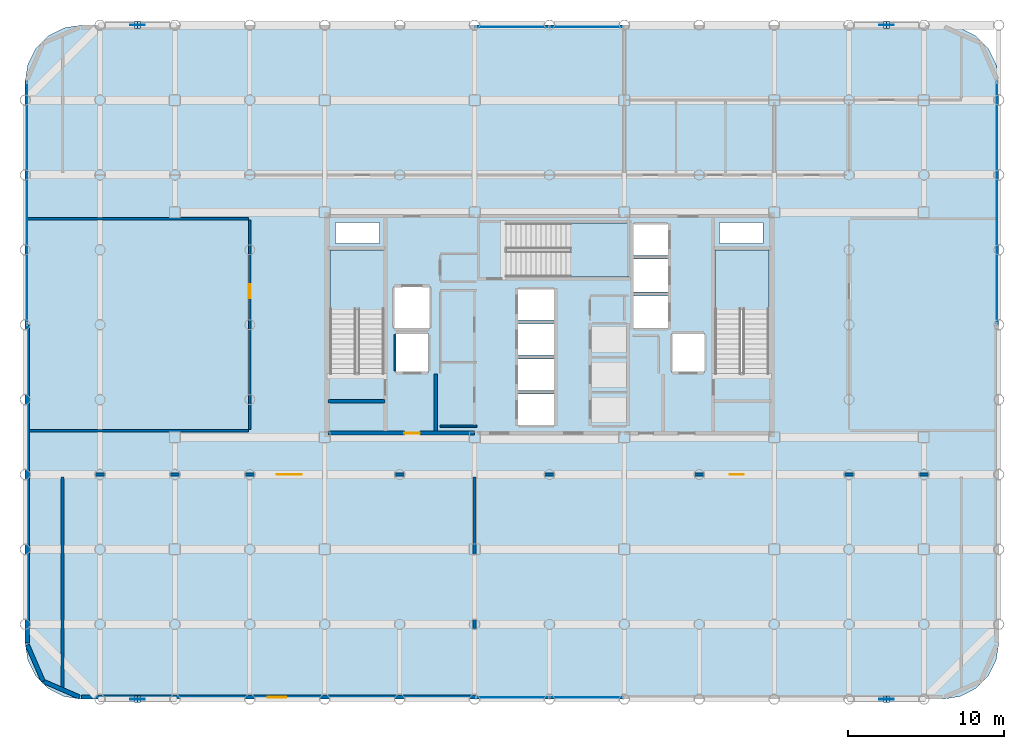
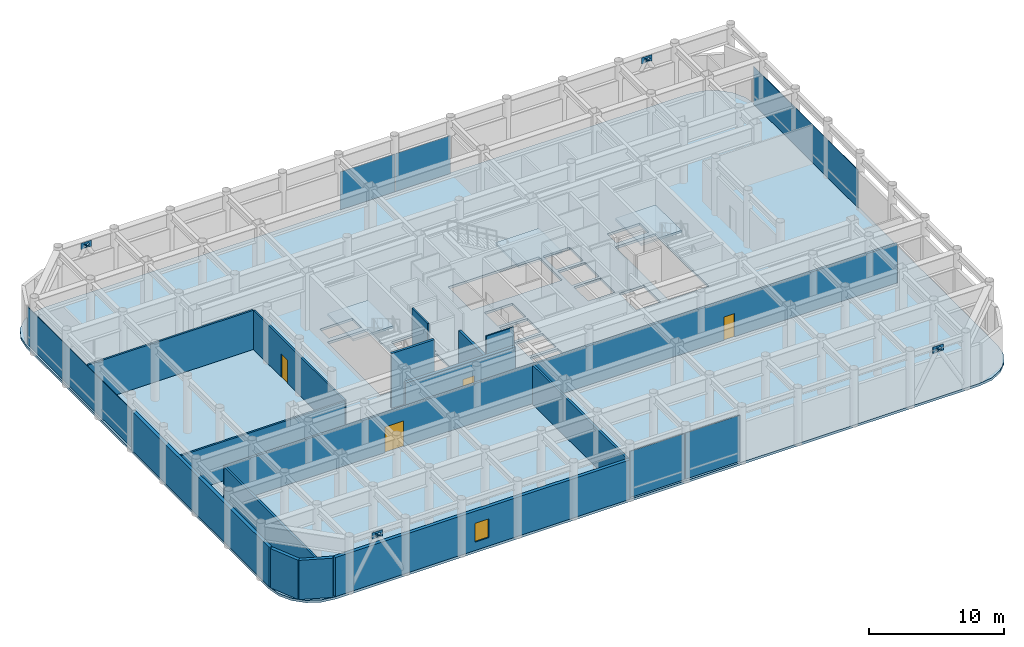
# One storey, part 15 of 20: 18 plates, 15 walls, 4 doors, 4 slabs, 1 window, 5 openings, 7 elements without a shape of their own.
"""IFC4 building model written with IfcOpenShell, lengths in metres."""

from ifc_helpers import new_model, si_unit, direction, frame, frame_2d, origin, origin_2d, place, context, subcontext, project, spatial, polyline, rectangle, outline, extrude, material, layer, layer_set, type_object, element, fill, aggregate, save


model = new_model("IFC4")

# Units and contexts
model_context = context("Model", 3, precision=1e-05, world=origin(), true_north=direction((0.0, 1.0)))
body_context = subcontext(model_context, "Body", "Model", "MODEL_VIEW")
ifc_project = project(units=[si_unit("LENGTHUNIT", "METRE"), si_unit("AREAUNIT", "SQUARE_METRE"), si_unit("VOLUMEUNIT", "CUBIC_METRE"), si_unit("PLANEANGLEUNIT", "RADIAN"), si_unit("MASSUNIT", "GRAM", prefix="KILO")], contexts=[model_context])

# Site, building, storey
site_placement = place(None, origin())
site = spatial("IfcSite", under=ifc_project, at=site_placement, CompositionType="ELEMENT")
building_placement = place(site_placement, origin())
building = spatial("IfcBuilding", under=site, at=building_placement, Name="Kallvorn Hotel Tower", CompositionType="ELEMENT")
storey_placement = place(building_placement, frame((0.0, 0.0, 180.300048828125)))
storey = spatial("IfcBuildingStorey", under=building, at=storey_placement, Name="L45", CompositionType="ELEMENT", Elevation=180.300048828125)

# Curtain wall, plates
ifc_material_1 = material(Name="Thermally broken black-anodised aluminium AA 6063-T6", Category="aluminium")
ifc_layer_1 = layer(ifc_material_1, 0.22998046875)
ifc_layer_set_1 = layer_set([ifc_layer_1], Name="CW_SYS_5_HOTEL_HIGH")
curtain_wall_type = type_object("IfcCurtainWallType", Name="CW_SYS_5_HOTEL_HIGH", PredefinedType="USERDEFINED", material=ifc_layer_set_1)
curtain_wall_1_placement = place(storey_placement, origin())
curtain_wall_1 = element("IfcCurtainWall", 1, at=curtain_wall_1_placement, inside=storey, type_object=curtain_wall_type, Name="L45 Dark-Glass Curtain Wall CW-L45-SC", ObjectType="UNITISED CURTAIN WALL", PredefinedType="USERDEFINED")
ifc_material_2 = material(Name="Triple-glazed low-e acoustic solar-control dark glass", Category="glass")
ifc_layer_2 = layer(ifc_material_2, 0.04150390625)
ifc_layer_set_2 = layer_set([ifc_layer_2], Name="CW_SYS_5_HOTEL_HIGH_PANEL")
plate_type_1 = type_object("IfcPlateType", Name="CW_SYS_5_HOTEL_HIGH_PANEL", PredefinedType="CURTAIN_PANEL", material=ifc_layer_set_2)
plate_1_placement = place(storey_placement, frame((-2.375, -23.8798828125, 0.06005859375), z_axis=(0.0, 0.0, 1.0), x_axis=(1.0, 0.0, 0.0)))
plate_1 = element("IfcPlate", 2, at=plate_1_placement, type_object=plate_type_1, Name="CW-L45-SC Vision Glass Panel 00", PredefinedType="CURTAIN_PANEL", context=body_context, shape_type="SweptSolid", body=[
    extrude(rectangle(XDim=4.68994140625, YDim=0.04150390625, at=origin_2d()), origin(), (0.0, 0.0, 1.0), 4.179931640625),
])
plate_2_placement = place(storey_placement, frame((2.375, -23.8798828125, 0.06005859375), z_axis=(0.0, 0.0, 1.0), x_axis=(1.0, 0.0, 0.0)))
plate_2 = element("IfcPlate", 3, at=plate_2_placement, type_object=plate_type_1, Name="CW-L45-SC Vision Glass Panel 01", PredefinedType="CURTAIN_PANEL", context=body_context, shape_type="SweptSolid", body=[
    extrude(rectangle(XDim=4.68994140625, YDim=0.04150390625, at=origin_2d()), origin(), (0.0, 0.0, 1.0), 4.179931640625),
])
aggregate(curtain_wall_1, [plate_1, plate_2])

curtain_wall_2_placement = place(storey_placement, origin())
curtain_wall_2 = element("IfcCurtainWall", 4, at=curtain_wall_2_placement, inside=storey, type_object=curtain_wall_type, Name="L45 Dark-Glass Curtain Wall CW-L45-NC", ObjectType="UNITISED CURTAIN WALL", PredefinedType="USERDEFINED")
plate_3_placement = place(storey_placement, frame((-2.375, 19.080078125, 0.06005859375), z_axis=(0.0, 0.0, 1.0), x_axis=(1.0, 0.0, 0.0)))
plate_3 = element("IfcPlate", 5, at=plate_3_placement, type_object=plate_type_1, Name="CW-L45-NC Vision Glass Panel 00", PredefinedType="CURTAIN_PANEL", context=body_context, shape_type="SweptSolid", body=[
    extrude(rectangle(XDim=4.68994140625, YDim=0.04150390625, at=origin_2d()), origin(), (0.0, 0.0, 1.0), 3.429931640625),
])
plate_4_placement = place(storey_placement, frame((2.375, 19.080078125, 0.06005859375), z_axis=(0.0, 0.0, 1.0), x_axis=(1.0, 0.0, 0.0)))
plate_4 = element("IfcPlate", 6, at=plate_4_placement, type_object=plate_type_1, Name="CW-L45-NC Vision Glass Panel 01", PredefinedType="CURTAIN_PANEL", context=body_context, shape_type="SweptSolid", body=[
    extrude(rectangle(XDim=4.68994140625, YDim=0.04150390625, at=origin_2d()), origin(), (0.0, 0.0, 1.0), 3.429931640625),
])
aggregate(curtain_wall_2, [plate_3, plate_4])

# Curtain wall, plate
curtain_wall_3_placement = place(storey_placement, origin())
curtain_wall_3 = element("IfcCurtainWall", 7, at=curtain_wall_3_placement, inside=storey, type_object=curtain_wall_type, Name="L45 Dark-Glass Curtain Wall CW-L45-WN", ObjectType="UNITISED CURTAIN WALL", PredefinedType="USERDEFINED")
plate_5_placement = place(storey_placement, frame((-33.47998046875, 7.81005859375, 0.06005859375), z_axis=(0.0, 0.0, 1.0), x_axis=(0.0, 1.0, 0.0)))
plate_5 = element("IfcPlate", 8, at=plate_5_placement, type_object=plate_type_1, Name="CW-L45-WN Vision Glass Panel 00", PredefinedType="CURTAIN_PANEL", context=body_context, shape_type="SweptSolid", body=[
    extrude(rectangle(XDim=15.52001953125, YDim=0.04150390625, at=origin_2d()), origin(), (0.0, 0.0, 1.0), 3.429931640625),
])
aggregate(curtain_wall_3, [plate_5])

curtain_wall_4_placement = place(storey_placement, origin())
curtain_wall_4 = element("IfcCurtainWall", 9, at=curtain_wall_4_placement, inside=storey, type_object=curtain_wall_type, Name="L45 Dark-Glass Curtain Wall CW-L45-EN", ObjectType="UNITISED CURTAIN WALL", PredefinedType="USERDEFINED")
plate_6_placement = place(storey_placement, frame((28.679931640625, 7.81005859375, 0.06005859375), z_axis=(0.0, 0.0, 1.0), x_axis=(0.0, 1.0, 0.0)))
plate_6 = element("IfcPlate", 10, at=plate_6_placement, type_object=plate_type_1, Name="CW-L45-EN Vision Glass Panel 00", PredefinedType="CURTAIN_PANEL", context=body_context, shape_type="SweptSolid", body=[
    extrude(rectangle(XDim=15.52001953125, YDim=0.04150390625, at=origin_2d()), origin(), (0.0, 0.0, 1.0), 3.429931640625),
])
aggregate(curtain_wall_4, [plate_6])

# Plates
ifc_material_3 = material(Name="Structural steel S355JR", Category="steel")
ifc_layer_3 = layer(ifc_material_3, 0.030029296875)
ifc_layer_set_3 = layer_set([ifc_layer_3], Name="PLT_CAP_30")
plate_type_2 = type_object("IfcPlateType", Name="PLT_CAP_30", PredefinedType="SHEET", material=ifc_layer_set_3)
plate_7_placement = place(storey_placement, frame((-26.205322265625, -24.2177734375, 4.341796875), z_axis=(0.491059472145, 0.0, 0.871126049901), x_axis=(0.0, 1.0, 0.0)))
element("IfcPlate", 11, at=plate_7_placement, inside=storey, type_object=plate_type_2, Name="EXO-L45-S1A End Cap Plate B", PredefinedType="SHEET", context=body_context, shape_type="SweptSolid", body=[
    extrude(outline(polyline([(0.0, 0.0), (0.435546875, 0.0), (0.435546875, 0.4355219675648605), (0.0, 0.4355219675648605), (0.0, 0.0)])), origin(), (0.0, 0.0, -1.0), 0.030029296875),
])
plate_8_placement = place(storey_placement, frame((-26.5947265625, -23.7822265625, 4.341796875), z_axis=(-0.490819772873, 0.0, 0.871261126504), x_axis=(0.0, -1.0, 0.0)))
element("IfcPlate", 12, at=plate_8_placement, inside=storey, type_object=plate_type_2, Name="EXO-L45-S1B End Cap Plate B", PredefinedType="SHEET", context=body_context, shape_type="SweptSolid", body=[
    extrude(outline(polyline([(0.0, 0.0), (0.435546875, 0.0), (0.435546875, 0.4357346613160056), (0.0, 0.4357346613160056), (0.0, 0.0)])), origin(), (0.0, 0.0, -1.0), 0.030029296875),
])
plate_9_placement = place(storey_placement, frame((21.794677734375, -24.2177734375, 4.341796875), z_axis=(0.491059472145, 0.0, 0.871126049901), x_axis=(0.0, 1.0, 0.0)))
element("IfcPlate", 13, at=plate_9_placement, inside=storey, type_object=plate_type_2, Name="EXO-L45-S2A End Cap Plate B", PredefinedType="SHEET", context=body_context, shape_type="SweptSolid", body=[
    extrude(outline(polyline([(0.0, 0.0), (0.435546875, 0.0), (0.435546875, 0.4355219675648605), (0.0, 0.4355219675648605), (0.0, 0.0)])), origin(), (0.0, 0.0, -1.0), 0.030029296875),
])
plate_10_placement = place(storey_placement, frame((21.4052734375, -23.7822265625, 4.341796875), z_axis=(-0.490819772873, 0.0, 0.871261126504), x_axis=(0.0, -1.0, 0.0)))
element("IfcPlate", 14, at=plate_10_placement, inside=storey, type_object=plate_type_2, Name="EXO-L45-S2B End Cap Plate B", PredefinedType="SHEET", context=body_context, shape_type="SweptSolid", body=[
    extrude(outline(polyline([(0.0, 0.0), (0.435546875, 0.0), (0.435546875, 0.4357346613160056), (0.0, 0.4357346613160056), (0.0, 0.0)])), origin(), (0.0, 0.0, -1.0), 0.030029296875),
])
plate_11_placement = place(storey_placement, frame((-26.205322265625, 18.982177734375, 4.341796875), z_axis=(0.491059472145, 0.0, 0.871126049901), x_axis=(0.0, 1.0, 0.0)))
element("IfcPlate", 15, at=plate_11_placement, inside=storey, type_object=plate_type_2, Name="EXO-L45-N1A End Cap Plate B", PredefinedType="SHEET", context=body_context, shape_type="SweptSolid", body=[
    extrude(outline(polyline([(0.0, 0.0), (0.435546875, 0.0), (0.435546875, 0.4355219675648605), (0.0, 0.4355219675648605), (0.0, 0.0)])), origin(), (0.0, 0.0, -1.0), 0.030029296875),
])
plate_12_placement = place(storey_placement, frame((-26.5947265625, 19.417724609375, 4.341796875), z_axis=(-0.490819772873, 0.0, 0.871261126504), x_axis=(0.0, -1.0, 0.0)))
element("IfcPlate", 16, at=plate_12_placement, inside=storey, type_object=plate_type_2, Name="EXO-L45-N1B End Cap Plate B", PredefinedType="SHEET", context=body_context, shape_type="SweptSolid", body=[
    extrude(outline(polyline([(0.0, 0.0), (0.435546875, 0.0), (0.435546875, 0.4357346613160056), (0.0, 0.4357346613160056), (0.0, 0.0)])), origin(), (0.0, 0.0, -1.0), 0.030029296875),
])
plate_13_placement = place(storey_placement, frame((21.794677734375, 18.982177734375, 4.341796875), z_axis=(0.491059472145, 0.0, 0.871126049901), x_axis=(0.0, 1.0, 0.0)))
element("IfcPlate", 17, at=plate_13_placement, inside=storey, type_object=plate_type_2, Name="EXO-L45-N2A End Cap Plate B", PredefinedType="SHEET", context=body_context, shape_type="SweptSolid", body=[
    extrude(outline(polyline([(0.0, 0.0), (0.435546875, 0.0), (0.435546875, 0.4355219675648605), (0.0, 0.4355219675648605), (0.0, 0.0)])), origin(), (0.0, 0.0, -1.0), 0.030029296875),
])
plate_14_placement = place(storey_placement, frame((21.4052734375, 19.417724609375, 4.341796875), z_axis=(-0.490819772873, 0.0, 0.871261126504), x_axis=(0.0, -1.0, 0.0)))
element("IfcPlate", 18, at=plate_14_placement, inside=storey, type_object=plate_type_2, Name="EXO-L45-N2B End Cap Plate B", PredefinedType="SHEET", context=body_context, shape_type="SweptSolid", body=[
    extrude(outline(polyline([(0.0, 0.0), (0.435546875, 0.0), (0.435546875, 0.4357346613160056), (0.0, 0.4357346613160056), (0.0, 0.0)])), origin(), (0.0, 0.0, -1.0), 0.030029296875),
])
ifc_material_4 = material(Name="Structural steel S355JR", Category="steel")
ifc_layer_4 = layer(ifc_material_4, 0.034912109375)
ifc_layer_set_4 = layer_set([ifc_layer_4], Name="PLT_GUSSET_35")
plate_type_3 = type_object("IfcPlateType", Name="PLT_GUSSET_35", PredefinedType="USERDEFINED", material=ifc_layer_set_4)
for number, where, z_axis, x_axis, name in (
    (19, (-26.39990234375, -24.0, 4.119873046875), (0.0, 0.0, 1.0), (1.0, 0.0, 0.0), "L45 Exoskeleton Node Gusset S1"),
    (20, (21.60009765625, -24.0, 4.119873046875), (0.0, 0.0, 1.0), (1.0, 0.0, 0.0), "L45 Exoskeleton Node Gusset S2"),
    (21, (-26.39990234375, 19.199951171875, 4.119873046875), (0.0, 0.0, 1.0), (1.0, 0.0, 0.0), "L45 Exoskeleton Node Gusset N1"),
    (22, (21.60009765625, 19.199951171875, 4.119873046875), (0.0, 0.0, 1.0), (1.0, 0.0, 0.0), "L45 Exoskeleton Node Gusset N2"),
):
    element("IfcPlate", number, at=place(storey_placement, frame(where, z_axis=z_axis, x_axis=x_axis)), inside=storey, type_object=plate_type_3, Name=name, ObjectType="GUSSET PLATE", PredefinedType="USERDEFINED", context=body_context, shape_type="SweptSolid", body=[
        extrude(rectangle(XDim=0.89990234375, YDim=0.034912109375, at=origin_2d()), origin(), (0.0, 0.0, 1.0), 0.56005859375),
    ])

# Slab
ifc_material_5 = material(Name="Concrete C40/50", Category="concrete")
ifc_layer_5 = layer(ifc_material_5, 0.219970703125)
ifc_layer_set_5 = layer_set([ifc_layer_5], Name="SLB_CASCADE_220")
slab_type_1 = type_object("IfcSlabType", Name="SLB_CASCADE_220", PredefinedType="FLOOR", material=ifc_layer_set_5)
slab_1_placement = place(storey_placement, frame((0.0, 0.0, -0.219970703125)))
element("IfcSlab", 23, at=slab_1_placement, inside=storey, type_object=slab_type_1, Name="L45 Structural Floor Slab", PredefinedType="FLOOR", context=body_context, shape_type="SweptSolid", body=[
    extrude(outline(polyline([(25.199951171875, -24.0), (26.3125, -23.82373046875), (27.31591796875, -23.3125), (28.112548828125, -22.51611328125), (28.623779296875, -21.512451171875), (28.800048828125, -20.39990234375), (28.800048828125, 15.60009765625), (28.623779296875, 16.71240234375), (28.112548828125, 17.716064453125), (27.31591796875, 18.512451171875), (26.3125, 19.023681640625), (25.199951171875, 19.199951171875), (-30.0, 19.199951171875), (-31.112548828125, 19.023681640625), (-32.115966796875, 18.512451171875), (-32.91259765625, 17.716064453125), (-33.423828125, 16.71240234375), (-33.60009765625, 15.60009765625), (-33.60009765625, -20.39990234375), (-33.423828125, -21.512451171875), (-32.91259765625, -22.51611328125), (-32.115966796875, -23.3125), (-31.112548828125, -23.82373046875), (-30.0, -24.0), (25.199951171875, -24.0)]), holes=[polyline([(-10.60009765625, -3.070068359375), (-10.60009765625, 4.800048828125), (-14.06005859375, 4.800048828125), (-14.06005859375, -3.070068359375), (-10.60009765625, -3.070068359375)]), polyline([(14.06005859375, -3.070068359375), (14.06005859375, 4.800048828125), (10.60009765625, 4.800048828125), (10.60009765625, -3.070068359375), (14.06005859375, -3.070068359375)]), polyline([(-2.719970703125, 3.050048828125), (5.050048828125, 3.050048828125), (5.050048828125, 6.510009765625), (-2.719970703125, 6.510009765625), (-2.719970703125, 3.050048828125)]), polyline([(-2.050048828125, -6.449951171875), (0.35009765625, -6.449951171875), (0.35009765625, -4.449951171875), (-2.050048828125, -4.449951171875), (-2.050048828125, -6.449951171875)]), polyline([(-2.050048828125, -4.199951171875), (0.35009765625, -4.199951171875), (0.35009765625, -2.199951171875), (-2.050048828125, -2.199951171875), (-2.050048828125, -4.199951171875)]), polyline([(-2.050048828125, -1.949951171875), (0.35009765625, -1.949951171875), (0.35009765625, 0.050048828125), (-2.050048828125, 0.050048828125), (-2.050048828125, -1.949951171875)]), polyline([(-2.050048828125, 0.300048828125), (0.35009765625, 0.300048828125), (0.35009765625, 2.300048828125), (-2.050048828125, 2.300048828125), (-2.050048828125, 0.300048828125)]), polyline([(5.35009765625, -0.25), (7.64990234375, -0.25), (7.64990234375, 1.85009765625), (5.35009765625, 1.85009765625), (5.35009765625, -0.25)]), polyline([(5.35009765625, 2.10009765625), (7.64990234375, 2.10009765625), (7.64990234375, 4.199951171875), (5.35009765625, 4.199951171875), (5.35009765625, 2.10009765625)]), polyline([(5.35009765625, 4.449951171875), (7.64990234375, 4.449951171875), (7.64990234375, 6.449951171875), (5.35009765625, 6.449951171875), (5.35009765625, 4.449951171875)]), polyline([(-9.85009765625, -3.050048828125), (-7.75, -3.050048828125), (-7.75, -0.550048828125), (-9.85009765625, -0.550048828125), (-9.85009765625, -3.050048828125)]), polyline([(7.85009765625, -3.050048828125), (9.949951171875, -3.050048828125), (9.949951171875, -0.550048828125), (7.85009765625, -0.550048828125), (7.85009765625, -3.050048828125)]), polyline([(-9.949951171875, -0.25), (-7.64990234375, -0.25), (-7.64990234375, 2.449951171875), (-9.949951171875, 2.449951171875), (-9.949951171875, -0.25)]), polyline([(-13.699951171875, 5.199951171875), (-10.89990234375, 5.199951171875), (-10.89990234375, 6.550048828125), (-13.699951171875, 6.550048828125), (-13.699951171875, 5.199951171875)]), polyline([(10.89990234375, 5.199951171875), (13.699951171875, 5.199951171875), (13.699951171875, 6.550048828125), (10.89990234375, 6.550048828125), (10.89990234375, 5.199951171875)])]), origin(), (0.0, 0.0, 1.0), 0.219970703125),
])

# Stair, slab
ifc_material_6 = material(Name="Precast concrete C40/50", Category="concrete")
stair_type = type_object("IfcStairType", Name="STR_CORE_DOGLEG", PredefinedType="HALF_TURN_STAIR", material=ifc_material_6)
stair_1_placement = place(storey_placement, origin())
stair_1 = element("IfcStair", 24, at=stair_1_placement, inside=storey, type_object=stair_type, Name="L45 Exit stair ST1", PredefinedType="HALF_TURN_STAIR")
ifc_material_7 = material(Name="Precast concrete C40/50", Category="concrete")
ifc_layer_6 = layer(ifc_material_7, 0.179931640625)
ifc_layer_set_6 = layer_set([ifc_layer_6], Name="SLB_LANDING_180")
slab_type_2 = type_object("IfcSlabType", Name="SLB_LANDING_180", PredefinedType="LANDING", material=ifc_layer_set_6)
slab_2_placement = place(storey_placement, frame((0.0, 0.0, 2.39990234375)))
slab_2 = element("IfcSlab", 25, at=slab_2_placement, type_object=slab_type_2, Name="ST1 landing 1", PredefinedType="LANDING", context=body_context, shape_type="SweptSolid", body=[
    extrude(outline(polyline([(-10.60009765625, 0.969970703125), (-10.60009765625, 4.800048828125), (-14.06005859375, 4.800048828125), (-14.06005859375, 0.969970703125), (-10.60009765625, 0.969970703125)])), origin(), (0.0, 0.0, 1.0), 0.199951171875),
])
aggregate(stair_1, [slab_2])

stair_2_placement = place(storey_placement, origin())
stair_2 = element("IfcStair", 26, at=stair_2_placement, inside=storey, type_object=stair_type, Name="L45 Exit stair ST2", PredefinedType="HALF_TURN_STAIR")
slab_3_placement = place(storey_placement, frame((0.0, 0.0, 2.39990234375)))
slab_3 = element("IfcSlab", 27, at=slab_3_placement, type_object=slab_type_2, Name="ST2 landing 1", PredefinedType="LANDING", context=body_context, shape_type="SweptSolid", body=[
    extrude(outline(polyline([(14.06005859375, 0.969970703125), (14.06005859375, 4.800048828125), (10.60009765625, 4.800048828125), (10.60009765625, 0.969970703125), (14.06005859375, 0.969970703125)])), origin(), (0.0, 0.0, 1.0), 0.199951171875),
])
aggregate(stair_2, [slab_3])

stair_3_placement = place(storey_placement, origin())
stair_3 = element("IfcStair", 28, at=stair_3_placement, inside=storey, type_object=stair_type, Name="L45 Exit stair ST3", PredefinedType="HALF_TURN_STAIR")
slab_4_placement = place(storey_placement, frame((0.0, 0.0, 2.39990234375)))
slab_4 = element("IfcSlab", 29, at=slab_4_placement, type_object=slab_type_2, Name="ST3 landing 1", PredefinedType="LANDING", context=body_context, shape_type="SweptSolid", body=[
    extrude(outline(polyline([(1.320068359375, 3.050048828125), (5.050048828125, 3.050048828125), (5.050048828125, 6.510009765625), (1.320068359375, 6.510009765625), (1.320068359375, 3.050048828125)])), origin(), (0.0, 0.0, 1.0), 0.199951171875),
])
aggregate(stair_3, [slab_4])

# Wall, openings, doors
ifc_material_8 = material(Name="Fire-rated double-layer acoustic gypsum drywall EI 60")
ifc_layer_7 = layer(ifc_material_8, 0.179931640625)
ifc_layer_set_7 = layer_set([ifc_layer_7], Name="WL_CORR_180")
wall_type_1 = type_object("IfcWallType", Name="WL_CORR_180", PredefinedType="PARTITIONING", material=ifc_layer_set_7)
wall_1_placement = place(storey_placement, frame((-31.199951171875, -9.60009765625, 0.0), z_axis=(0.0, 0.0, 1.0), x_axis=(1.0, 0.0, 0.0)))
wall_1 = element("IfcWall", 30, at=wall_1_placement, inside=storey, type_object=wall_type_1, Name="L45 Mid-Tower Sky Transfer Lobby and Concierge Partition", PredefinedType="PARTITIONING", context=body_context, shape_type="SweptSolid", body=[
    extrude(rectangle(XDim=57.599853515625, YDim=0.179931640625, at=frame_2d((28.7998046875, 0.0))), origin(), (0.0, 0.0, 1.0), 3.550048828125),
])
opening_1_placement = place(wall_1_placement, frame((13.719970703125, 0.0, 0.0)))
opening_1 = element("IfcOpeningElement", 31, at=opening_1_placement, cuts=wall_1, Name="Opening HD1", PredefinedType="OPENING", context=body_context, shape_type="SweptSolid", body=[
    extrude(rectangle(XDim=1.60009765625, YDim=2.300048828125, at=frame_2d((0.800048828125, 1.14990234375))), frame((0.0, 0.104736328125, 0.0), z_axis=(0.0, -1.0, 0.0), x_axis=(1.0, 0.0, 0.0)), (0.0, 0.0, 1.0), 0.2099609375),
])
opening_2_placement = place(wall_1_placement, frame((42.75, 0.0, 0.0)))
opening_2 = element("IfcOpeningElement", 32, at=opening_2_placement, cuts=wall_1, Name="Opening SVD1", PredefinedType="OPENING", context=body_context, shape_type="SweptSolid", body=[
    extrude(rectangle(XDim=0.89990234375, YDim=2.10009765625, at=frame_2d((0.449951171875, 1.050048828125))), frame((0.0, 0.104736328125, 0.0), z_axis=(0.0, -1.0, 0.0), x_axis=(1.0, 0.0, 0.0)), (0.0, 0.0, 1.0), 0.2099609375),
])
ifc_material_9 = material(Name="Solid-core walnut veneer fire-rated timber door leaf", Category="wood")
door_type_1 = type_object("IfcDoorType", Name="DR_HALL_1600x2300", OperationType="DOUBLE_DOOR_SINGLE_SWING", PredefinedType="DOOR", material=ifc_material_9)
door_1_placement = place(opening_1_placement, origin())
door_1 = element("IfcDoor", 33, at=door_1_placement, inside=storey, type_object=door_type_1, Name="L45 Mid-Tower Sky Transfer Lobby and Concierge Door", OperationType="DOUBLE_DOOR_SINGLE_SWING", OverallHeight=2.300048828125, OverallWidth=1.60009765625, PredefinedType="DOOR", context=body_context, shape_type="SweptSolid", body=[
    extrude(rectangle(XDim=1.60009765625, YDim=2.300048828125, at=frame_2d((0.800048828125, 1.14990234375))), frame((0.0, 0.02490234375, 0.0), z_axis=(0.0, -1.0, 0.0), x_axis=(1.0, 0.0, 0.0)), (0.0, 0.0, 1.0), 0.050048828125),
])
fill(opening_1, door_1)
ifc_material_10 = material(Name="Galvanised painted steel fire-rated door assembly", Category="steel")
door_type_2 = type_object("IfcDoorType", Name="DR_SERV_900x2100", OperationType="NOTDEFINED", PredefinedType="DOOR", material=ifc_material_10)
door_2_placement = place(opening_2_placement, origin())
door_2 = element("IfcDoor", 34, at=door_2_placement, inside=storey, type_object=door_type_2, Name="L45 Altitude Sky Cocktail Bar Door", OperationType="SINGLE_SWING_LEFT", OverallHeight=2.10009765625, OverallWidth=0.89990234375, PredefinedType="DOOR", context=body_context, shape_type="SweptSolid", body=[
    extrude(rectangle(XDim=0.89990234375, YDim=2.10009765625, at=frame_2d((0.449951171875, 1.050048828125))), frame((0.0, 0.02490234375, 0.0), z_axis=(0.0, -1.0, 0.0), x_axis=(1.0, 0.0, 0.0)), (0.0, 0.0, 1.0), 0.050048828125),
])
fill(opening_2, door_2)

# Walls
wall_2_placement = place(storey_placement, frame((-31.199951171875, -23.238525390625, 0.0), z_axis=(0.0, 0.0, 1.0), x_axis=(0.0, 1.0, 0.0)))
element("IfcWall", 35, at=wall_2_placement, inside=storey, type_object=wall_type_1, Name="L45 Mid-Tower Sky Transfer Lobby and Concierge Partition", PredefinedType="PARTITIONING", context=body_context, shape_type="SweptSolid", body=[
    extrude(rectangle(XDim=13.488525390625, YDim=0.179931640625, at=frame_2d((6.744140625, 0.0))), origin(), (0.0, 0.0, 1.0), 3.550048828125),
])
wall_3_placement = place(storey_placement, frame((-4.800048828125, -23.7099609375, 0.0), z_axis=(0.0, 0.0, 1.0), x_axis=(0.0, 1.0, 0.0)))
element("IfcWall", 36, at=wall_3_placement, inside=storey, type_object=wall_type_1, Name="L45 Mid-Tower Sky Transfer Lobby and Concierge Partition", PredefinedType="PARTITIONING", context=body_context, shape_type="SweptSolid", body=[
    extrude(rectangle(XDim=13.9599609375, YDim=0.179931640625, at=frame_2d((6.97998046875, 0.0))), origin(), (0.0, 0.0, 1.0), 3.550048828125),
])
ifc_material_11 = material(Name="Precast basalt-clad insulated concrete wall C40/50", Category="masonry")
ifc_layer_8 = layer(ifc_material_11, 0.280029296875)
ifc_layer_set_8 = layer_set([ifc_layer_8], Name="WL_EXT_LOGGIA_280")
wall_type_2 = type_object("IfcWallType", Name="WL_EXT_LOGGIA_280", PredefinedType="SOLIDWALL", material=ifc_layer_set_8)
wall_4_placement = place(storey_placement, frame((-33.4580078125, -20.520751953125, 0.0), z_axis=(0.0, 0.0, 1.0), x_axis=(0.398792985289, -0.917040977756, 0.0)))
element("IfcWall", 37, at=wall_4_placement, inside=storey, type_object=wall_type_2, Name="L45 Rounded Corner Exterior Wall SW1", PredefinedType="SOLIDWALL", context=body_context, shape_type="SweptSolid", body=[
    extrude(rectangle(XDim=2.536376953125, YDim=0.280029296875, at=frame_2d((1.26806640625, 0.0))), origin(), (0.0, 0.0, 1.0), 3.550048828125),
])
wall_5_placement = place(storey_placement, frame((-32.446533203125, -22.8466796875, 0.0), z_axis=(0.0, 0.0, 1.0), x_axis=(0.917060872934, -0.398747232384, 0.0)))
element("IfcWall", 38, at=wall_5_placement, inside=storey, type_object=wall_type_2, Name="L45 Rounded Corner Exterior Wall SW2", PredefinedType="SOLIDWALL", context=body_context, shape_type="SweptSolid", body=[
    extrude(rectangle(XDim=2.5361328125, YDim=0.280029296875, at=frame_2d((1.26806640625, 0.0))), origin(), (0.0, 0.0, 1.0), 3.550048828125),
])

# Wall, opening, window
wall_6_placement = place(storey_placement, frame((-30.0, -23.860107421875, 0.0), z_axis=(0.0, 0.0, 1.0), x_axis=(1.0, 0.0, 0.0)))
wall_6 = element("IfcWall", 39, at=wall_6_placement, inside=storey, type_object=wall_type_2, Name="L45 Exterior Envelope Wall EW-L45-SW", PredefinedType="SOLIDWALL", context=body_context, shape_type="SweptSolid", body=[
    extrude(rectangle(XDim=25.25, YDim=0.280029296875, at=frame_2d((12.625, 0.0))), origin(), (0.0, 0.0, 1.0), 3.550048828125),
])
opening_3_placement = place(wall_6_placement, frame((11.93994140625, 0.0, 0.75)))
opening_3 = element("IfcOpeningElement", 40, at=opening_3_placement, cuts=wall_6, Name="Opening W06", PredefinedType="OPENING", context=body_context, shape_type="SweptSolid", body=[
    extrude(rectangle(XDim=1.199951171875, YDim=1.699951171875, at=frame_2d((0.60009765625, 0.85009765625))), frame((0.0, 0.155029296875, 0.0), z_axis=(0.0, -1.0, 0.0), x_axis=(1.0, 0.0, 0.0)), (0.0, 0.0, 1.0), 0.31005859375),
])
ifc_material_12 = material(Name="Triple-glazed low-e acoustic solar-control dark glass", Category="glass")
window_type = type_object("IfcWindowType", Name="WN_HTL_1200x1700", PartitioningType="SINGLE_PANEL", PredefinedType="WINDOW", material=ifc_material_12)
window_placement = place(opening_3_placement, origin())
window = element("IfcWindow", 41, at=window_placement, inside=storey, type_object=window_type, Name="L45 Guestroom Exterior Window 01", OverallHeight=1.699951171875, OverallWidth=1.199951171875, PartitioningType="SINGLE_PANEL", PredefinedType="WINDOW", context=body_context, shape_type="SweptSolid", body=[
    extrude(rectangle(XDim=1.199951171875, YDim=1.699951171875, at=frame_2d((0.60009765625, 0.85009765625))), frame((0.0, 0.030029296875, 0.0), z_axis=(0.0, -1.0, 0.0), x_axis=(1.0, 0.0, 0.0)), (0.0, 0.0, 1.0), 0.06005859375),
])
fill(opening_3, window)

# Walls
wall_7_placement = place(storey_placement, frame((-33.4599609375, -20.39990234375, 0.0), z_axis=(0.0, 0.0, 1.0), x_axis=(0.0, 1.0, 0.0)))
element("IfcWall", 42, at=wall_7_placement, inside=storey, type_object=wall_type_2, Name="L45 Exterior Envelope Wall EW-L45-WS", PredefinedType="SOLIDWALL", context=body_context, shape_type="SweptSolid", body=[
    extrude(rectangle(XDim=20.3798828125, YDim=0.280029296875, at=frame_2d((10.18994140625, 0.0))), origin(), (0.0, 0.0, 1.0), 3.550048828125),
])
ifc_material_13 = material(Name="Concrete C40/50", Category="concrete")
ifc_layer_9 = layer(ifc_material_13, 0.219970703125)
ifc_layer_set_9 = layer_set([ifc_layer_9], Name="WL_FFL_220")
wall_type_3 = type_object("IfcWallType", Name="WL_FFL_220", PredefinedType="SOLIDWALL", material=ifc_layer_set_9)
wall_8_placement = place(storey_placement, frame((-7.300048828125, -6.820068359375, 0.0), z_axis=(0.0, 0.0, 1.0), x_axis=(0.0, 1.0, 0.0)))
element("IfcWall", 43, at=wall_8_placement, inside=storey, type_object=wall_type_3, Name="L45 Firefighting Lobby West Divider Wall", PredefinedType="SOLIDWALL", context=body_context, shape_type="SweptSolid", body=[
    extrude(rectangle(XDim=3.670166015625, YDim=0.219970703125, at=frame_2d((1.8349609375, 0.0))), origin(), (0.0, 0.0, 1.0), 3.550048828125),
])
ifc_material_14 = material(Name="Concrete C40/50", Category="concrete")
ifc_layer_10 = layer(ifc_material_14, 0.199951171875)
ifc_layer_set_10 = layer_set([ifc_layer_10], Name="WL_HOIST_200")
wall_type_4 = type_object("IfcWallType", Name="WL_HOIST_200", PredefinedType="SOLIDWALL", material=ifc_layer_set_10)
wall_9_placement = place(storey_placement, frame((-14.199951171875, -4.89990234375, -0.219970703125), z_axis=(0.0, 0.0, 1.0), x_axis=(1.0, 0.0, 0.0)))
element("IfcWall", 44, at=wall_9_placement, inside=storey, type_object=wall_type_4, Name="L45 Stair ST1 South Wall", PredefinedType="SOLIDWALL", context=body_context, shape_type="SweptSolid", body=[
    extrude(rectangle(XDim=3.64990234375, YDim=0.199951171875, at=frame_2d((1.824951171875, 0.0))), origin(), (0.0, 0.0, 1.0), 5.169921875),
])
ifc_material_15 = material(Name="Fire-rated double-layer acoustic gypsum drywall EI 60")
ifc_layer_11 = layer(ifc_material_15, 0.1201171875)
ifc_layer_set_11 = layer_set([ifc_layer_11], Name="WL_INT_120")
wall_type_5 = type_object("IfcWallType", Name="WL_INT_120", PredefinedType="PARTITIONING", material=ifc_layer_set_11)
wall_10_placement = place(storey_placement, frame((-9.89990234375, -2.9599609375, 0.0), z_axis=(0.0, 0.0, 1.0), x_axis=(0.0, 1.0, 0.0)))
element("IfcWall", 45, at=wall_10_placement, inside=storey, type_object=wall_type_5, Name="L45 FL-1 West Shaft Wall", PredefinedType="PARTITIONING", context=body_context, shape_type="SweptSolid", body=[
    extrude(rectangle(XDim=2.320068359375, YDim=0.1201171875, at=frame_2d((1.16015625, 0.0))), origin(), (0.0, 0.0, 1.0), 4.949951171875),
])
wall_11_placement = place(storey_placement, frame((-7.0, -6.5, 0.0), z_axis=(0.0, 0.0, 1.0), x_axis=(1.0, 0.0, 0.0)))
element("IfcWall", 46, at=wall_11_placement, inside=storey, type_object=wall_type_5, Name="L45 Recaptured South Minibar Pantry Partition", PredefinedType="PARTITIONING", context=body_context, shape_type="SweptSolid", body=[
    extrude(rectangle(XDim=2.35009765625, YDim=0.1201171875, at=frame_2d((1.175048828125, 0.0))), origin(), (0.0, 0.0, 1.0), 4.949951171875),
])
ifc_material_16 = material(Name="Fire-rated double-layer acoustic gypsum drywall EI 60")
ifc_layer_12 = layer(ifc_material_16, 0.14990234375)
ifc_layer_set_12 = layer_set([ifc_layer_12], Name="WL_PART_150")
wall_type_6 = type_object("IfcWallType", Name="WL_PART_150", PredefinedType="PARTITIONING", material=ifc_layer_set_12)
wall_12_placement = place(storey_placement, frame((-33.31005859375, -6.800048828125, 0.0), z_axis=(0.0, 0.0, 1.0), x_axis=(1.0, 0.0, 0.0)))
element("IfcWall", 47, at=wall_12_placement, inside=storey, type_object=wall_type_6, Name="L45 Sky Lobby West Sunset Dining Salon Partition", PredefinedType="PARTITIONING", context=body_context, shape_type="SweptSolid", body=[
    extrude(rectangle(XDim=14.030029296875, YDim=0.14990234375, at=frame_2d((7.01513671875, 0.0))), origin(), (0.0, 0.0, 1.0), 3.550048828125),
])
wall_13_placement = place(storey_placement, frame((-33.429931640625, 6.800048828125, 0.0), z_axis=(0.0, 0.0, 1.0), x_axis=(1.0, 0.0, 0.0)))
element("IfcWall", 48, at=wall_13_placement, inside=storey, type_object=wall_type_6, Name="L45 Sky Lobby West Sunset Dining Salon Partition", PredefinedType="PARTITIONING", context=body_context, shape_type="SweptSolid", body=[
    extrude(rectangle(XDim=14.14990234375, YDim=0.14990234375, at=frame_2d((7.074951171875, 0.0))), origin(), (0.0, 0.0, 1.0), 3.550048828125),
])

# Wall, opening, door
wall_14_placement = place(storey_placement, frame((-19.199951171875, -6.715087890625, 0.0), z_axis=(0.0, 0.0, 1.0), x_axis=(0.0, 1.0, 0.0)))
wall_14 = element("IfcWall", 49, at=wall_14_placement, inside=storey, type_object=wall_type_6, Name="L45 Sky Lobby West Sunset Dining Salon Partition", PredefinedType="PARTITIONING", context=body_context, shape_type="SweptSolid", body=[
    extrude(rectangle(XDim=13.43017578125, YDim=0.14990234375, at=frame_2d((6.715087890625, 0.0))), origin(), (0.0, 0.0, 1.0), 3.550048828125),
])
opening_4_placement = place(wall_14_placement, frame((8.4130859375, 0.0, 0.0)))
opening_4 = element("IfcOpeningElement", 50, at=opening_4_placement, cuts=wall_14, Name="Opening SVD1", PredefinedType="OPENING", context=body_context, shape_type="SweptSolid", body=[
    extrude(rectangle(XDim=0.89990234375, YDim=2.10009765625, at=frame_2d((0.449951171875, 1.050048828125))), frame((0.0, 0.08984375, 0.0), z_axis=(0.0, -1.0, 0.0), x_axis=(1.0, 0.0, 0.0)), (0.0, 0.0, 1.0), 0.179931640625),
])
door_3_placement = place(opening_4_placement, origin())
door_3 = element("IfcDoor", 51, at=door_3_placement, inside=storey, type_object=door_type_2, Name="L45 Sky Lobby West Sunset Dining Salon Door", OperationType="SINGLE_SWING_LEFT", OverallHeight=2.10009765625, OverallWidth=0.89990234375, PredefinedType="DOOR", context=body_context, shape_type="SweptSolid", body=[
    extrude(rectangle(XDim=0.89990234375, YDim=2.10009765625, at=frame_2d((0.449951171875, 1.050048828125))), frame((0.0, 0.02490234375, 0.0), z_axis=(0.0, -1.0, 0.0), x_axis=(1.0, 0.0, 0.0)), (0.0, 0.0, 1.0), 0.050048828125),
])
fill(opening_4, door_3)

ifc_material_17 = material(Name="Concrete C40/50", Category="concrete")
ifc_layer_13 = layer(ifc_material_17, 0.25)
ifc_layer_set_13 = layer_set([ifc_layer_13], Name="WL_SHAFT_250")
wall_type_7 = type_object("IfcWallType", Name="WL_SHAFT_250", PredefinedType="SOLIDWALL", material=ifc_layer_set_13)
wall_15_placement = place(storey_placement, frame((-14.199951171875, -6.949951171875, 0.0), z_axis=(0.0, 0.0, 1.0), x_axis=(1.0, 0.0, 0.0)))
wall_15 = element("IfcWall", 52, at=wall_15_placement, inside=storey, type_object=wall_type_7, Name="L45 Core South-West Wall", PredefinedType="SOLIDWALL", context=body_context, shape_type="SweptSolid", body=[
    extrude(rectangle(XDim=9.39990234375, YDim=0.25, at=frame_2d((4.699951171875, 0.0))), origin(), (0.0, 0.0, 1.0), 3.550048828125),
])
opening_5_placement = place(wall_15_placement, frame((4.89990234375, 0.0, 0.0)))
opening_5 = element("IfcOpeningElement", 53, at=opening_5_placement, cuts=wall_15, Name="Opening FD1", PredefinedType="OPENING", context=body_context, shape_type="SweptSolid", body=[
    extrude(rectangle(XDim=1.0, YDim=2.14990234375, at=frame_2d((0.5, 1.074951171875))), frame((0.0, 0.139892578125, 0.0), z_axis=(0.0, -1.0, 0.0), x_axis=(1.0, 0.0, 0.0)), (0.0, 0.0, 1.0), 0.280029296875),
])
ifc_material_18 = material(Name="Galvanised painted steel fire-rated door assembly", Category="steel")
door_type_3 = type_object("IfcDoorType", Name="DR_FFL_1000x2150", OperationType="NOTDEFINED", PredefinedType="DOOR", material=ifc_material_18)
door_4_placement = place(opening_5_placement, origin())
door_4 = element("IfcDoor", 54, at=door_4_placement, inside=storey, type_object=door_type_3, Name="L45 Firefighting Lobby West Door", OperationType="SINGLE_SWING_LEFT", OverallHeight=2.14990234375, OverallWidth=1.0, PredefinedType="DOOR", context=body_context, shape_type="SweptSolid", body=[
    extrude(rectangle(XDim=1.0, YDim=2.14990234375, at=frame_2d((0.5, 1.074951171875))), frame((0.0, 0.02490234375, 0.0), z_axis=(0.0, -1.0, 0.0), x_axis=(1.0, 0.0, 0.0)), (0.0, 0.0, 1.0), 0.050048828125),
])
fill(opening_5, door_4)

save(model, "model.ifc")
